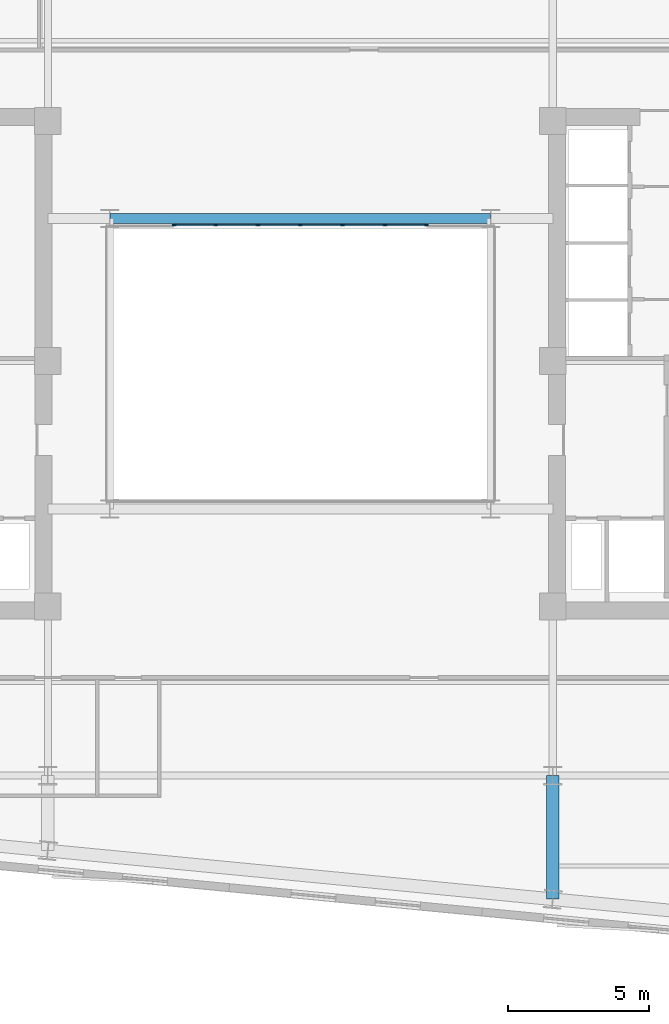
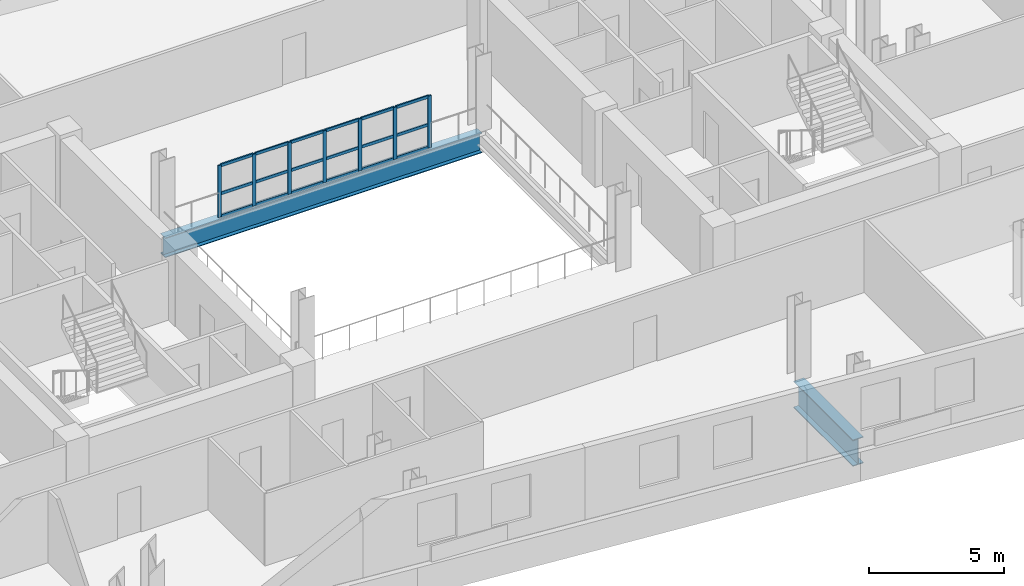
# One storey, part 2 of 11: 25 members, 2 beams, 1 element without a shape of its own.
"""IFC4 building model written with IfcOpenShell, lengths in metres."""

from ifc_helpers import new_model, si_unit, direction, frame, origin, origin_2d, place, context, subcontext, project, spatial, rectangle, i_section, extrude, material, layer, layer_set, material_profile, profile_set, type_object, element, aggregate, save


model = new_model("IFC4")

# Units and contexts
model_context = context("Model", 3, precision=1e-05, world=origin(), true_north=direction((0.0, 1.0)))
body_context = subcontext(model_context, "Body", "Model", "MODEL_VIEW")
ifc_project = project(units=[si_unit("LENGTHUNIT", "METRE"), si_unit("AREAUNIT", "SQUARE_METRE"), si_unit("VOLUMEUNIT", "CUBIC_METRE"), si_unit("PLANEANGLEUNIT", "RADIAN"), si_unit("MASSUNIT", "GRAM", prefix="KILO")], contexts=[model_context])

# Site, building, storey
site_placement = place(None, origin())
site = spatial("IfcSite", under=ifc_project, at=site_placement, CompositionType="ELEMENT")
building_placement = place(site_placement, origin())
building = spatial("IfcBuilding", under=site, at=building_placement, Name="Velakula Bourse", CompositionType="ELEMENT")
storey_placement = place(building_placement, frame((0.0, 0.0, 160.39990234375)))
storey = spatial("IfcBuildingStorey", under=building, at=storey_placement, Name="L43", CompositionType="ELEMENT", Elevation=160.39990234375)

# Beam
ifc_material_1 = material(Name="Steel IS 2062 Grade 350 (E350)", Category="steel")
ifc_material_profile_1 = material_profile(ifc_material_1, i_section(OverallWidth=0.35009765625, OverallDepth=0.89990234375, WebThickness=0.02001953125, FlangeThickness=0.031982421875, at=origin_2d()), Name="Steel IS 2062 Grade 350 (E350)")
ifc_profile_set_1 = profile_set([ifc_material_profile_1], Name="Steel IS 2062 Grade 350 (E350)")
beam_type_1 = type_object("IfcBeamType", Name="BM-LNK-900", PredefinedType="BEAM", material=ifc_profile_set_1)
beam_1_placement = place(storey_placement, frame((-6.75, 5.14990234375, -0.6298828125), z_axis=(1.0, 0.0, 0.0), x_axis=(0.0, 1.0, 0.0)))
element("IfcBeam", 1, at=beam_1_placement, inside=storey, type_object=beam_type_1, Name="L43 Primary Backbone Girder LNK-N2", PredefinedType="BEAM", context=body_context, shape_type="SweptSolid", body=[
    extrude(i_section(OverallWidth=0.35009765625, OverallDepth=0.89990234375, WebThickness=0.02001953125, FlangeThickness=0.031982421875, at=origin_2d()), origin(), (0.0, 0.0, 1.0), 13.5),
])

# Curtain wall, members
ifc_material_2 = material(Name="Anodised bronze architectural aluminium", Category="aluminium")
ifc_layer = layer(ifc_material_2, 0.14990234375, Name="Anodised bronze architectural aluminium", Category="aluminium")
ifc_layer_set = layer_set([ifc_layer], Name="Anodised bronze architectural aluminium")
curtain_wall_type = type_object("IfcCurtainWallType", Name="CW-AT1", PredefinedType="NOTDEFINED", material=ifc_layer_set)
curtain_wall_placement = place(storey_placement, origin())
curtain_wall = element("IfcCurtainWall", 2, at=curtain_wall_placement, inside=storey, type_object=curtain_wall_type, Name="L43 Central Trading Atrium Fire-Rated Glazed Screen", PredefinedType="NOTDEFINED")
ifc_material_profile_2 = material_profile(ifc_material_2, rectangle(XDim=0.06005859375, YDim=0.14990234375, at=origin_2d()), Name="Anodised bronze architectural aluminium")
ifc_profile_set_2 = profile_set([ifc_material_profile_2], Name="Anodised bronze architectural aluminium")
member_type_1 = type_object("IfcMemberType", Name="MUL-CW-AT1", PredefinedType="MULLION", material=ifc_profile_set_2)
member_1_placement = place(storey_placement, frame((-4.469970703125, 4.919921875, 0.0), z_axis=(0.0, 0.0, 1.0), x_axis=(0.0, 1.0, 0.0)))
member_1 = element("IfcMember", 3, at=member_1_placement, type_object=member_type_1, Name="CW-AT1 mullion 1", PredefinedType="MULLION", context=body_context, shape_type="SweptSolid", body=[
    extrude(rectangle(XDim=0.06005859375, YDim=0.14990234375, at=origin_2d()), origin(), (0.0, 0.0, 1.0), 2.34521484375),
])
member_2_placement = place(storey_placement, frame((-3.0, 4.919921875, 0.0), z_axis=(0.0, 0.0, 1.0), x_axis=(0.0, 1.0, 0.0)))
member_2 = element("IfcMember", 4, at=member_2_placement, type_object=member_type_1, Name="CW-AT1 mullion 2", PredefinedType="MULLION", context=body_context, shape_type="SweptSolid", body=[
    extrude(rectangle(XDim=0.06005859375, YDim=0.14990234375, at=origin_2d()), origin(), (0.0, 0.0, 1.0), 2.34521484375),
])
member_3_placement = place(storey_placement, frame((-1.5, 4.919921875, 0.0), z_axis=(0.0, 0.0, 1.0), x_axis=(0.0, 1.0, 0.0)))
member_3 = element("IfcMember", 5, at=member_3_placement, type_object=member_type_1, Name="CW-AT1 mullion 3", PredefinedType="MULLION", context=body_context, shape_type="SweptSolid", body=[
    extrude(rectangle(XDim=0.06005859375, YDim=0.14990234375, at=origin_2d()), origin(), (0.0, 0.0, 1.0), 2.34521484375),
])
member_4_placement = place(storey_placement, frame((0.0, 4.919921875, 0.0), z_axis=(0.0, 0.0, 1.0), x_axis=(0.0, 1.0, 0.0)))
member_4 = element("IfcMember", 6, at=member_4_placement, type_object=member_type_1, Name="CW-AT1 mullion 4", PredefinedType="MULLION", context=body_context, shape_type="SweptSolid", body=[
    extrude(rectangle(XDim=0.06005859375, YDim=0.14990234375, at=origin_2d()), origin(), (0.0, 0.0, 1.0), 2.34521484375),
])
member_5_placement = place(storey_placement, frame((1.5, 4.919921875, 0.0), z_axis=(0.0, 0.0, 1.0), x_axis=(0.0, 1.0, 0.0)))
member_5 = element("IfcMember", 7, at=member_5_placement, type_object=member_type_1, Name="CW-AT1 mullion 5", PredefinedType="MULLION", context=body_context, shape_type="SweptSolid", body=[
    extrude(rectangle(XDim=0.06005859375, YDim=0.14990234375, at=origin_2d()), origin(), (0.0, 0.0, 1.0), 2.34521484375),
])
member_6_placement = place(storey_placement, frame((3.0, 4.919921875, 0.0), z_axis=(0.0, 0.0, 1.0), x_axis=(0.0, 1.0, 0.0)))
member_6 = element("IfcMember", 8, at=member_6_placement, type_object=member_type_1, Name="CW-AT1 mullion 6", PredefinedType="MULLION", context=body_context, shape_type="SweptSolid", body=[
    extrude(rectangle(XDim=0.06005859375, YDim=0.14990234375, at=origin_2d()), origin(), (0.0, 0.0, 1.0), 2.34521484375),
])
member_7_placement = place(storey_placement, frame((4.469970703125, 4.919921875, 0.0), z_axis=(0.0, 0.0, 1.0), x_axis=(0.0, 1.0, 0.0)))
member_7 = element("IfcMember", 9, at=member_7_placement, type_object=member_type_1, Name="CW-AT1 mullion 7", PredefinedType="MULLION", context=body_context, shape_type="SweptSolid", body=[
    extrude(rectangle(XDim=0.06005859375, YDim=0.14990234375, at=origin_2d()), origin(), (0.0, 0.0, 1.0), 2.34521484375),
])

# Beam
ifc_material_3 = material(Name="Steel IS 2062 Grade 450 (E450)", Category="steel")
ifc_material_profile_3 = material_profile(ifc_material_3, i_section(OverallWidth=0.449951171875, OverallDepth=1.199951171875, WebThickness=0.02587890625, FlangeThickness=0.0400390625, at=origin_2d()), Name="Steel IS 2062 Grade 450 (E450)")
ifc_profile_set_3 = profile_set([ifc_material_profile_3], Name="Steel IS 2062 Grade 450 (E450)")
beam_type_2 = type_object("IfcBeamType", Name="TB-CANT-1200", PredefinedType="BEAM", material=ifc_profile_set_3)
beam_2_placement = place(storey_placement, frame((8.949951171875, -14.60009765625, -0.77978515625), z_axis=(0.0, -1.0, 0.0), x_axis=(1.0, 0.0, 0.0)))
element("IfcBeam", 10, at=beam_2_placement, inside=storey, type_object=beam_type_2, Name="L43 Perimeter Tie Girder S3", PredefinedType="BEAM", context=body_context, shape_type="SweptSolid", body=[
    extrude(i_section(OverallWidth=0.449951171875, OverallDepth=1.199951171875, WebThickness=0.02587890625, FlangeThickness=0.0400390625, at=origin_2d()), origin(), (0.0, 0.0, 1.0), 4.38134765625),
])

# Member
ifc_material_profile_4 = material_profile(ifc_material_2, rectangle(XDim=0.06005859375, YDim=0.1298828125, at=origin_2d()), Name="Anodised bronze architectural aluminium")
ifc_profile_set_4 = profile_set([ifc_material_profile_4], Name="Anodised bronze architectural aluminium")
member_type_2 = type_object("IfcMemberType", Name="TRN-CW-AT1", PredefinedType="USERDEFINED", material=ifc_profile_set_4)
member_8_placement = place(storey_placement, frame((-4.43994140625, 4.919921875, 0.030029296875), z_axis=(1.0, 0.0, 0.0), x_axis=(0.0, 1.0, 0.0)))
member_8 = element("IfcMember", 11, at=member_8_placement, type_object=member_type_2, Name="CW-AT1 transom 1.1", ObjectType="TRANSOM", PredefinedType="USERDEFINED", context=body_context, shape_type="SweptSolid", body=[
    extrude(rectangle(XDim=0.06005859375, YDim=0.1298828125, at=origin_2d()), origin(), (0.0, 0.0, 1.0), 1.409912109375),
])

member_9_placement = place(storey_placement, frame((-4.43994140625, 4.919921875, 1.055419921875), z_axis=(1.0, 0.0, 0.0), x_axis=(0.0, 1.0, 0.0)))
member_9 = element("IfcMember", 12, at=member_9_placement, type_object=member_type_2, Name="CW-AT1 transom 1.2", ObjectType="TRANSOM", PredefinedType="USERDEFINED", context=body_context, shape_type="SweptSolid", body=[
    extrude(rectangle(XDim=0.06005859375, YDim=0.1298828125, at=origin_2d()), origin(), (0.0, 0.0, 1.0), 1.409912109375),
])

member_10_placement = place(storey_placement, frame((-4.43994140625, 4.919921875, 2.315185546875), z_axis=(1.0, 0.0, 0.0), x_axis=(0.0, 1.0, 0.0)))
member_10 = element("IfcMember", 13, at=member_10_placement, type_object=member_type_2, Name="CW-AT1 transom 1.3", ObjectType="TRANSOM", PredefinedType="USERDEFINED", context=body_context, shape_type="SweptSolid", body=[
    extrude(rectangle(XDim=0.06005859375, YDim=0.1298828125, at=origin_2d()), origin(), (0.0, 0.0, 1.0), 1.409912109375),
])

member_11_placement = place(storey_placement, frame((-2.969970703125, 4.919921875, 0.030029296875), z_axis=(1.0, 0.0, 0.0), x_axis=(0.0, 1.0, 0.0)))
member_11 = element("IfcMember", 14, at=member_11_placement, type_object=member_type_2, Name="CW-AT1 transom 2.1", ObjectType="TRANSOM", PredefinedType="USERDEFINED", context=body_context, shape_type="SweptSolid", body=[
    extrude(rectangle(XDim=0.06005859375, YDim=0.1298828125, at=origin_2d()), origin(), (0.0, 0.0, 1.0), 1.43994140625),
])

member_12_placement = place(storey_placement, frame((-2.969970703125, 4.919921875, 1.055419921875), z_axis=(1.0, 0.0, 0.0), x_axis=(0.0, 1.0, 0.0)))
member_12 = element("IfcMember", 15, at=member_12_placement, type_object=member_type_2, Name="CW-AT1 transom 2.2", ObjectType="TRANSOM", PredefinedType="USERDEFINED", context=body_context, shape_type="SweptSolid", body=[
    extrude(rectangle(XDim=0.06005859375, YDim=0.1298828125, at=origin_2d()), origin(), (0.0, 0.0, 1.0), 1.43994140625),
])

member_13_placement = place(storey_placement, frame((-2.969970703125, 4.919921875, 2.315185546875), z_axis=(1.0, 0.0, 0.0), x_axis=(0.0, 1.0, 0.0)))
member_13 = element("IfcMember", 16, at=member_13_placement, type_object=member_type_2, Name="CW-AT1 transom 2.3", ObjectType="TRANSOM", PredefinedType="USERDEFINED", context=body_context, shape_type="SweptSolid", body=[
    extrude(rectangle(XDim=0.06005859375, YDim=0.1298828125, at=origin_2d()), origin(), (0.0, 0.0, 1.0), 1.43994140625),
])

member_14_placement = place(storey_placement, frame((-1.469970703125, 4.919921875, 0.030029296875), z_axis=(1.0, 0.0, 0.0), x_axis=(0.0, 1.0, 0.0)))
member_14 = element("IfcMember", 17, at=member_14_placement, type_object=member_type_2, Name="CW-AT1 transom 3.1", ObjectType="TRANSOM", PredefinedType="USERDEFINED", context=body_context, shape_type="SweptSolid", body=[
    extrude(rectangle(XDim=0.06005859375, YDim=0.1298828125, at=origin_2d()), origin(), (0.0, 0.0, 1.0), 1.43994140625),
])

member_15_placement = place(storey_placement, frame((-1.469970703125, 4.919921875, 1.055419921875), z_axis=(1.0, 0.0, 0.0), x_axis=(0.0, 1.0, 0.0)))
member_15 = element("IfcMember", 18, at=member_15_placement, type_object=member_type_2, Name="CW-AT1 transom 3.2", ObjectType="TRANSOM", PredefinedType="USERDEFINED", context=body_context, shape_type="SweptSolid", body=[
    extrude(rectangle(XDim=0.06005859375, YDim=0.1298828125, at=origin_2d()), origin(), (0.0, 0.0, 1.0), 1.43994140625),
])

member_16_placement = place(storey_placement, frame((-1.469970703125, 4.919921875, 2.315185546875), z_axis=(1.0, 0.0, 0.0), x_axis=(0.0, 1.0, 0.0)))
member_16 = element("IfcMember", 19, at=member_16_placement, type_object=member_type_2, Name="CW-AT1 transom 3.3", ObjectType="TRANSOM", PredefinedType="USERDEFINED", context=body_context, shape_type="SweptSolid", body=[
    extrude(rectangle(XDim=0.06005859375, YDim=0.1298828125, at=origin_2d()), origin(), (0.0, 0.0, 1.0), 1.43994140625),
])

member_17_placement = place(storey_placement, frame((0.030029296875, 4.919921875, 0.030029296875), z_axis=(1.0, 0.0, 0.0), x_axis=(0.0, 1.0, 0.0)))
member_17 = element("IfcMember", 20, at=member_17_placement, type_object=member_type_2, Name="CW-AT1 transom 4.1", ObjectType="TRANSOM", PredefinedType="USERDEFINED", context=body_context, shape_type="SweptSolid", body=[
    extrude(rectangle(XDim=0.06005859375, YDim=0.1298828125, at=origin_2d()), origin(), (0.0, 0.0, 1.0), 1.43994140625),
])

member_18_placement = place(storey_placement, frame((0.030029296875, 4.919921875, 1.055419921875), z_axis=(1.0, 0.0, 0.0), x_axis=(0.0, 1.0, 0.0)))
member_18 = element("IfcMember", 21, at=member_18_placement, type_object=member_type_2, Name="CW-AT1 transom 4.2", ObjectType="TRANSOM", PredefinedType="USERDEFINED", context=body_context, shape_type="SweptSolid", body=[
    extrude(rectangle(XDim=0.06005859375, YDim=0.1298828125, at=origin_2d()), origin(), (0.0, 0.0, 1.0), 1.43994140625),
])

member_19_placement = place(storey_placement, frame((0.030029296875, 4.919921875, 2.315185546875), z_axis=(1.0, 0.0, 0.0), x_axis=(0.0, 1.0, 0.0)))
member_19 = element("IfcMember", 22, at=member_19_placement, type_object=member_type_2, Name="CW-AT1 transom 4.3", ObjectType="TRANSOM", PredefinedType="USERDEFINED", context=body_context, shape_type="SweptSolid", body=[
    extrude(rectangle(XDim=0.06005859375, YDim=0.1298828125, at=origin_2d()), origin(), (0.0, 0.0, 1.0), 1.43994140625),
])

member_20_placement = place(storey_placement, frame((1.530029296875, 4.919921875, 0.030029296875), z_axis=(1.0, 0.0, 0.0), x_axis=(0.0, 1.0, 0.0)))
member_20 = element("IfcMember", 23, at=member_20_placement, type_object=member_type_2, Name="CW-AT1 transom 5.1", ObjectType="TRANSOM", PredefinedType="USERDEFINED", context=body_context, shape_type="SweptSolid", body=[
    extrude(rectangle(XDim=0.06005859375, YDim=0.1298828125, at=origin_2d()), origin(), (0.0, 0.0, 1.0), 1.43994140625),
])

member_21_placement = place(storey_placement, frame((1.530029296875, 4.919921875, 1.055419921875), z_axis=(1.0, 0.0, 0.0), x_axis=(0.0, 1.0, 0.0)))
member_21 = element("IfcMember", 24, at=member_21_placement, type_object=member_type_2, Name="CW-AT1 transom 5.2", ObjectType="TRANSOM", PredefinedType="USERDEFINED", context=body_context, shape_type="SweptSolid", body=[
    extrude(rectangle(XDim=0.06005859375, YDim=0.1298828125, at=origin_2d()), origin(), (0.0, 0.0, 1.0), 1.43994140625),
])

member_22_placement = place(storey_placement, frame((1.530029296875, 4.919921875, 2.315185546875), z_axis=(1.0, 0.0, 0.0), x_axis=(0.0, 1.0, 0.0)))
member_22 = element("IfcMember", 25, at=member_22_placement, type_object=member_type_2, Name="CW-AT1 transom 5.3", ObjectType="TRANSOM", PredefinedType="USERDEFINED", context=body_context, shape_type="SweptSolid", body=[
    extrude(rectangle(XDim=0.06005859375, YDim=0.1298828125, at=origin_2d()), origin(), (0.0, 0.0, 1.0), 1.43994140625),
])

member_23_placement = place(storey_placement, frame((3.030029296875, 4.919921875, 0.030029296875), z_axis=(1.0, 0.0, 0.0), x_axis=(0.0, 1.0, 0.0)))
member_23 = element("IfcMember", 26, at=member_23_placement, type_object=member_type_2, Name="CW-AT1 transom 6.1", ObjectType="TRANSOM", PredefinedType="USERDEFINED", context=body_context, shape_type="SweptSolid", body=[
    extrude(rectangle(XDim=0.06005859375, YDim=0.1298828125, at=origin_2d()), origin(), (0.0, 0.0, 1.0), 1.409912109375),
])

member_24_placement = place(storey_placement, frame((3.030029296875, 4.919921875, 1.055419921875), z_axis=(1.0, 0.0, 0.0), x_axis=(0.0, 1.0, 0.0)))
member_24 = element("IfcMember", 27, at=member_24_placement, type_object=member_type_2, Name="CW-AT1 transom 6.2", ObjectType="TRANSOM", PredefinedType="USERDEFINED", context=body_context, shape_type="SweptSolid", body=[
    extrude(rectangle(XDim=0.06005859375, YDim=0.1298828125, at=origin_2d()), origin(), (0.0, 0.0, 1.0), 1.409912109375),
])

member_25_placement = place(storey_placement, frame((3.030029296875, 4.919921875, 2.315185546875), z_axis=(1.0, 0.0, 0.0), x_axis=(0.0, 1.0, 0.0)))
member_25 = element("IfcMember", 28, at=member_25_placement, type_object=member_type_2, Name="CW-AT1 transom 6.3", ObjectType="TRANSOM", PredefinedType="USERDEFINED", context=body_context, shape_type="SweptSolid", body=[
    extrude(rectangle(XDim=0.06005859375, YDim=0.1298828125, at=origin_2d()), origin(), (0.0, 0.0, 1.0), 1.409912109375),
])

aggregate(curtain_wall, [member_1, member_2, member_3, member_4, member_5, member_6, member_7, member_8, member_9, member_10, member_11, member_12, member_13, member_14, member_15, member_16, member_17, member_18, member_19, member_20, member_21, member_22, member_23, member_24, member_25])

save(model, "model.ifc")
